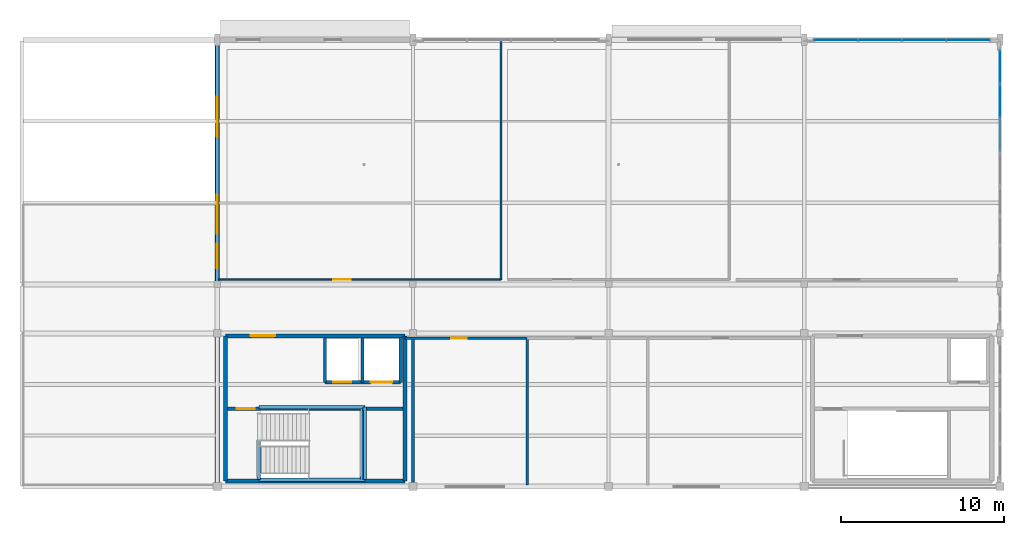
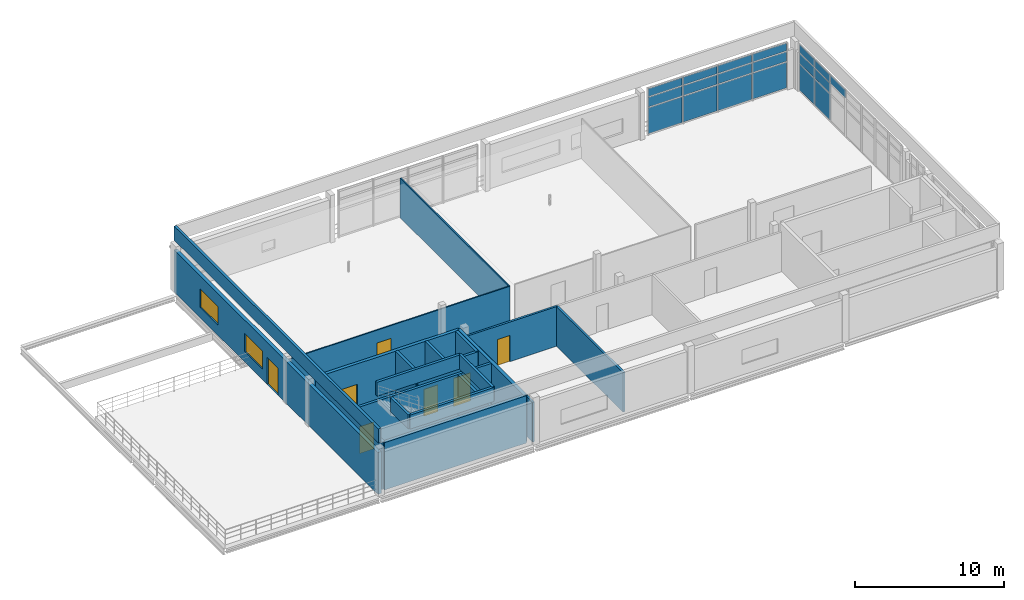
# One storey, part 5 of 9: 21 walls, 19 plates, 7 doors, 2 windows, 9 openings, 2 elements without a shape of their own.
"""IFC4 building model written with IfcOpenShell, lengths in metres."""

import ifcopenshell
import ifcopenshell.guid

model = None  # the IFC model being written
_history = None  # IfcOwnerHistory: only IFC2X3 demands one
_inside = {}  # id of a spatial element -> (the spatial element, [elements in it])
_under = {}  # id of a project, library or spatial element -> (it, [spatial elements below it])
_declared = {}  # id of a project -> (the project, [libraries it declares])
_typed = {}  # id of a type object -> (the type object, [elements of that type])
_made_of = {}  # id of a material, layer set ... -> (it, [elements and type objects made of it])


def new_model(schema):
    """Start an empty IFC model of exactly this schema.

    Asked for "IFC4X3", IfcOpenShell would pick the latest addendum, in which some entities
    have other attributes; the version numbers below select the first issue.
    IFC2X3 requires an IfcOwnerHistory on every rooted entity: one is made here for all.
    """
    global model, _history
    if schema == "IFC4X3":
        model = ifcopenshell.file(schema_version=(4, 3, 0, 0))
    else:
        model = ifcopenshell.file(schema=schema)
    _inside.clear()
    _under.clear()
    _declared.clear()
    _typed.clear()
    _made_of.clear()
    _history = None
    if model.schema == "IFC2X3":
        org = make("IfcOrganization", Name="unknown")
        user = make(
            "IfcPersonAndOrganization",
            ThePerson=make("IfcPerson", FamilyName="unknown"),
            TheOrganization=org,
        )
        app = make(
            "IfcApplication",
            ApplicationDeveloper=org,
            Version="unknown",
            ApplicationFullName="unknown",
            ApplicationIdentifier="unknown",
        )
        _history = make(
            "IfcOwnerHistory",
            OwningUser=user,
            OwningApplication=app,
            ChangeAction="ADDED",
            CreationDate=0,
        )
    return model


def make(cls, **values):
    """One entity of the class cls with the attributes given. An attribute that is None is left unset."""
    return model.create_entity(
        cls, **{name: value for name, value in values.items() if value is not None}
    )


def rooted(cls, **values):
    """An entity with a GlobalId (a new one), such as an element, a storey or a relation."""
    return make(cls, GlobalId=ifcopenshell.guid.new(), OwnerHistory=_history, **values)


def si_unit(unit_type, name, prefix=None):
    """IfcSIUnit, for example si_unit("LENGTHUNIT", "METRE", prefix="MILLI")."""
    return make("IfcSIUnit", UnitType=unit_type, Prefix=prefix, Name=name)


def assignment(units):
    """IfcUnitAssignment: the units of a project."""
    return None if units is None else make("IfcUnitAssignment", Units=units)


def point(xyz):
    """IfcCartesianPoint."""
    return None if xyz is None else make("IfcCartesianPoint", Coordinates=xyz)


def direction(xyz):
    """IfcDirection."""
    return None if xyz is None else make("IfcDirection", DirectionRatios=xyz)


def frame(location, z_axis=None, x_axis=None):
    """IfcAxis2Placement3D, a coordinate frame: its origin and axes. An axis left out is left unset."""
    return make(
        "IfcAxis2Placement3D",
        Location=point(location),
        Axis=direction(z_axis),
        RefDirection=direction(x_axis),
    )


def frame_2d(location, x_axis=None):
    """IfcAxis2Placement2D, a coordinate frame in the plane: its origin and x axis."""
    return make(
        "IfcAxis2Placement2D", Location=point(location), RefDirection=direction(x_axis)
    )


def origin():
    """The frame at (0, 0, 0) with its axes left unset."""
    return frame((0.0, 0.0, 0.0))


def origin_2d():
    """The frame at (0, 0) in the plane with its x axis left unset."""
    return frame_2d((0.0, 0.0))


def place(relative_to, where):
    """IfcLocalPlacement: puts the frame where relative to a parent placement (None: the world)."""
    return make(
        "IfcLocalPlacement", PlacementRelTo=relative_to, RelativePlacement=where
    )


def context(
    kind, dimensions, precision=None, world=None, true_north=None, identifier=None
):
    """IfcGeometricRepresentationContext, for example the 3D "Model" context."""
    return make(
        "IfcGeometricRepresentationContext",
        ContextIdentifier=identifier,
        ContextType=kind,
        CoordinateSpaceDimension=dimensions,
        Precision=precision,
        WorldCoordinateSystem=world,
        TrueNorth=true_north,
    )


def subcontext(parent, identifier, kind, view, scale=None):
    """IfcGeometricRepresentationSubContext, for example "Body" below "Model"."""
    return make(
        "IfcGeometricRepresentationSubContext",
        ContextIdentifier=identifier,
        ContextType=kind,
        ParentContext=parent,
        TargetScale=scale,
        TargetView=view,
    )


def project(units=None, contexts=None):
    """IfcProject with its units and contexts."""
    return rooted(
        "IfcProject",
        Name="project",
        RepresentationContexts=contexts,
        UnitsInContext=assignment(units),
    )


def spatial(cls, under=None, at=None, **own):
    """A site, building, storey or space (cls), placed at a placement, below another one or the project."""
    s = rooted(cls, ObjectPlacement=at, **own)
    if under is not None:
        _under.setdefault(under.id(), (under, []))[1].append(s)
    return s


def profile(cls, at=None, kind="AREA", **sizes):
    """A parametric profile (cls). Its sizes go by their IFC names, for example OverallWidth=200.0."""
    return make(cls, ProfileType=kind, Position=at, **sizes)


def rectangle(**sizes):
    """IfcRectangleProfileDef."""
    return profile("IfcRectangleProfileDef", **sizes)


def extrude(swept, where, along, depth):
    """IfcExtrudedAreaSolid: the profile swept, set in the frame where, extruded along a direction by depth."""
    return make(
        "IfcExtrudedAreaSolid",
        SweptArea=swept,
        Position=where,
        ExtrudedDirection=direction(along),
        Depth=depth,
    )


def shape(context_of_items, identifier, shape_type, items):
    """IfcShapeRepresentation: the items that make up one representation, for example the "Body"."""
    return make(
        "IfcShapeRepresentation",
        ContextOfItems=context_of_items,
        RepresentationIdentifier=identifier,
        RepresentationType=shape_type,
        Items=items,
    )


def material(Name=None, Category=None):
    """IfcMaterial."""
    return make("IfcMaterial", Name=Name, Category=Category)


def layer(
    of_material, thickness, ventilated=None, Name=None, Category=None, Priority=None
):
    """IfcMaterialLayer: one layer of a wall or slab, of a material (None: an air gap)."""
    return make(
        "IfcMaterialLayer",
        Material=of_material,
        LayerThickness=thickness,
        IsVentilated=ventilated,
        Name=Name,
        Category=Category,
        Priority=Priority,
    )


def layer_set(layers, Name=None):
    """IfcMaterialLayerSet."""
    return make("IfcMaterialLayerSet", MaterialLayers=layers, LayerSetName=Name)


def made_of(thing, what):
    """Note that an element or type object is made of a material, layer set ...; save() writes the relation."""
    if what is not None:
        _made_of.setdefault(what.id(), (what, []))[1].append(thing)
    return thing


def type_object(cls, material=None, **own):
    """A type object (cls), such as IfcWallType, which elements share."""
    return made_of(rooted(cls, **own), material)


def element(
    cls,
    number,
    at=None,
    inside=None,
    cuts=None,
    type_object=None,
    material=None,
    context=None,
    identifier="Body",
    shape_type=None,
    held_by="IfcProductDefinitionShape",
    body=None,
    shapes=None,
    **own,
):
    """One element of the class cls, such as IfcWall. Its Tag is "e" and its number.

    at: its placement. inside: the storey or other place that contains it. cuts: it is an
    opening in that element (IfcRelVoidsElement). A single representation is given by context,
    identifier, shape_type and body (its items); several are given by shapes. held_by: the class
    of the entity that holds the representations. save() writes the other relations.
    """
    e = rooted(cls, Tag="e%d" % number, ObjectPlacement=at, **own)
    if body is not None:
        shapes = [shape(context, identifier, shape_type, body)]
    if shapes is not None:
        e.Representation = make(held_by, Representations=shapes)
    if inside is not None:
        _inside.setdefault(inside.id(), (inside, []))[1].append(e)
    if cuts is not None:
        rooted(
            "IfcRelVoidsElement", RelatingBuildingElement=cuts, RelatedOpeningElement=e
        )
    if type_object is not None:
        _typed.setdefault(type_object.id(), (type_object, []))[1].append(e)
    return made_of(e, material)


def fill(opening, filler):
    """IfcRelFillsElement: the door or window that sits in an opening."""
    return rooted(
        "IfcRelFillsElement",
        RelatingOpeningElement=opening,
        RelatedBuildingElement=filler,
    )


def aggregate(whole, parts):
    """IfcRelAggregates: a whole, such as a stair, and the parts it consists of."""
    return rooted("IfcRelAggregates", RelatingObject=whole, RelatedObjects=parts)


def save(model, path):
    """Write the relations noted so far, then the file.

    IfcRelAggregates (storeys below a building ...), IfcRelContainedInSpatialStructure (elements
    in a storey), IfcRelDefinesByType, IfcRelAssociatesMaterial and IfcRelDeclares: one each for
    every whole, place, type object, material and project.
    """
    for whole, parts in _under.values():
        aggregate(whole, parts)
    for where, things in _inside.values():
        rooted(
            "IfcRelContainedInSpatialStructure",
            RelatedElements=things,
            RelatingStructure=where,
        )
    for kind, things in _typed.values():
        rooted("IfcRelDefinesByType", RelatedObjects=things, RelatingType=kind)
    for what, things in _made_of.values():
        rooted("IfcRelAssociatesMaterial", RelatedObjects=things, RelatingMaterial=what)
    for by, libraries in _declared.values():
        rooted("IfcRelDeclares", RelatingContext=by, RelatedDefinitions=libraries)
    model.write(path)


model = new_model("IFC4")

# Units and contexts
model_context = context("Model", 3, precision=1e-05, world=origin(), true_north=direction((0.0, 1.0)))
body_context = subcontext(model_context, "Body", "Model", "MODEL_VIEW")
ifc_project = project(units=[si_unit("LENGTHUNIT", "METRE"), si_unit("AREAUNIT", "SQUARE_METRE"), si_unit("VOLUMEUNIT", "CUBIC_METRE"), si_unit("PLANEANGLEUNIT", "RADIAN"), si_unit("MASSUNIT", "GRAM", prefix="KILO"), si_unit("THERMODYNAMICTEMPERATUREUNIT", "KELVIN"), si_unit("POWERUNIT", "WATT")], contexts=[model_context])

# Site, building, storey
site_placement = place(None, origin())
site = spatial("IfcSite", under=ifc_project, at=site_placement, CompositionType="ELEMENT")
building_placement = place(site_placement, origin())
building = spatial("IfcBuilding", under=site, at=building_placement, Name="Solmara Park Aquatics Centre", CompositionType="ELEMENT")
storey_placement = place(building_placement, frame((0.0, 0.0, 18.60009765625)))
storey = spatial("IfcBuildingStorey", under=building, at=storey_placement, Name="L04", CompositionType="ELEMENT", Elevation=18.60009765625)

# Curtain wall, plates
ifc_material_1 = material(Name="Anodised Aluminium Curtain Wall Framing", Category="aluminium")
curtain_wall_type_1 = type_object("IfcCurtainWallType", Name="ARC-CW-SYS06", PredefinedType="USERDEFINED", material=ifc_material_1)
curtain_wall_1_placement = place(storey_placement, origin())
curtain_wall_1 = element("IfcCurtainWall", 1, at=curtain_wall_1_placement, inside=storey, type_object=curtain_wall_type_1, Name="Curtain Wall CW-137", ObjectType="CURTAIN WALL", PredefinedType="USERDEFINED")
ifc_material_2 = material(Name="Double Low-E Solar-Control Glazing", Category="glass")
ifc_layer_1 = layer(ifc_material_2, 0.035888671875, Name="Double Low-E Solar-Control Glazing")
ifc_layer_set_1 = layer_set([ifc_layer_1], Name="Double Low-E Solar-Control Glazing")
plate_type_1 = type_object("IfcPlateType", Name="ARC-CWP-GLZ36-2000x2140", PredefinedType="CURTAIN_PANEL", material=ifc_layer_set_1)
plate_1_placement = place(storey_placement, frame((96.60009765625, 132.2451171875, 0.079833984375), z_axis=(0.0, 0.0, 1.0), x_axis=(0.0, 1.0, 0.0)))
plate_1 = element("IfcPlate", 2, at=plate_1_placement, type_object=plate_type_1, Name="CW-137 panel 7", PredefinedType="CURTAIN_PANEL", context=body_context, shape_type="SweptSolid", body=[
    extrude(rectangle(XDim=2.010009765625, YDim=0.035888671875, at=origin_2d()), origin(), (0.0, 0.0, 1.0), 2.13037109375),
])
plate_2_placement = place(storey_placement, frame((96.60009765625, 134.3349609375, 0.079833984375), z_axis=(0.0, 0.0, 1.0), x_axis=(0.0, 1.0, 0.0)))
plate_2 = element("IfcPlate", 3, at=plate_2_placement, type_object=plate_type_1, Name="CW-137 panel 10", PredefinedType="CURTAIN_PANEL", context=body_context, shape_type="SweptSolid", body=[
    extrude(rectangle(XDim=2.010009765625, YDim=0.035888671875, at=origin_2d()), origin(), (0.0, 0.0, 1.0), 2.13037109375),
])
ifc_layer_2 = layer(ifc_material_2, 0.035888671875, Name="Double Low-E Solar-Control Glazing")
ifc_layer_set_2 = layer_set([ifc_layer_2], Name="Double Low-E Solar-Control Glazing")
plate_type_2 = type_object("IfcPlateType", Name="ARC-CWP-GLZ36-2000x800", PredefinedType="CURTAIN_PANEL", material=ifc_layer_set_2)
plate_3_placement = place(storey_placement, frame((96.60009765625, 132.2451171875, 2.29052734375), z_axis=(0.0, 0.0, 1.0), x_axis=(0.0, 1.0, 0.0)))
plate_3 = element("IfcPlate", 4, at=plate_3_placement, type_object=plate_type_2, Name="CW-137 panel 8", PredefinedType="CURTAIN_PANEL", context=body_context, shape_type="SweptSolid", body=[
    extrude(rectangle(XDim=2.010009765625, YDim=0.035888671875, at=origin_2d()), origin(), (0.0, 0.0, 1.0), 0.799560546875),
])
plate_4_placement = place(storey_placement, frame((96.60009765625, 134.3349609375, 2.29052734375), z_axis=(0.0, 0.0, 1.0), x_axis=(0.0, 1.0, 0.0)))
plate_4 = element("IfcPlate", 5, at=plate_4_placement, type_object=plate_type_2, Name="CW-137 panel 11", PredefinedType="CURTAIN_PANEL", context=body_context, shape_type="SweptSolid", body=[
    extrude(rectangle(XDim=2.010009765625, YDim=0.035888671875, at=origin_2d()), origin(), (0.0, 0.0, 1.0), 0.799560546875),
])

curtain_wall_type_2 = type_object("IfcCurtainWallType", Name="ARC-CW-SYS04", PredefinedType="USERDEFINED", material=ifc_material_1)
curtain_wall_2_placement = place(storey_placement, origin())
curtain_wall_2 = element("IfcCurtainWall", 6, at=curtain_wall_2_placement, inside=storey, type_object=curtain_wall_type_2, Name="Curtain Wall CW-133", ObjectType="CURTAIN WALL", PredefinedType="USERDEFINED")
ifc_layer_3 = layer(ifc_material_2, 0.035888671875, Name="Double Low-E Solar-Control Glazing")
ifc_layer_set_3 = layer_set([ifc_layer_3], Name="Double Low-E Solar-Control Glazing")
plate_type_3 = type_object("IfcPlateType", Name="ARC-CWP-GLZ36-2620x2100", PredefinedType="CURTAIN_PANEL", material=ifc_layer_set_3)
plate_5_placement = place(storey_placement, frame((86.530029296875, 136.0, 0.080078125), z_axis=(0.0, 0.0, 1.0), x_axis=(1.0, 0.0, 0.0)))
plate_5 = element("IfcPlate", 7, at=plate_5_placement, type_object=plate_type_3, Name="CW-133 panel 1", PredefinedType="CURTAIN_PANEL", context=body_context, shape_type="SweptSolid", body=[
    extrude(rectangle(XDim=2.6201171875, YDim=0.035888671875, at=origin_2d()), origin(), (0.0, 0.0, 1.0), 2.107177734375),
])
plate_6_placement = place(storey_placement, frame((89.22998046875, 136.0, 0.080078125), z_axis=(0.0, 0.0, 1.0), x_axis=(1.0, 0.0, 0.0)))
plate_6 = element("IfcPlate", 8, at=plate_6_placement, type_object=plate_type_3, Name="CW-133 panel 4", PredefinedType="CURTAIN_PANEL", context=body_context, shape_type="SweptSolid", body=[
    extrude(rectangle(XDim=2.6201171875, YDim=0.035888671875, at=origin_2d()), origin(), (0.0, 0.0, 1.0), 2.107177734375),
])
plate_7_placement = place(storey_placement, frame((91.929931640625, 136.0, 0.080078125), z_axis=(0.0, 0.0, 1.0), x_axis=(1.0, 0.0, 0.0)))
plate_7 = element("IfcPlate", 9, at=plate_7_placement, type_object=plate_type_3, Name="CW-133 panel 7", PredefinedType="CURTAIN_PANEL", context=body_context, shape_type="SweptSolid", body=[
    extrude(rectangle(XDim=2.6201171875, YDim=0.035888671875, at=origin_2d()), origin(), (0.0, 0.0, 1.0), 2.107177734375),
])
plate_8_placement = place(storey_placement, frame((94.6298828125, 136.0, 0.080078125), z_axis=(0.0, 0.0, 1.0), x_axis=(1.0, 0.0, 0.0)))
plate_8 = element("IfcPlate", 10, at=plate_8_placement, type_object=plate_type_3, Name="CW-133 panel 10", PredefinedType="CURTAIN_PANEL", context=body_context, shape_type="SweptSolid", body=[
    extrude(rectangle(XDim=2.6201171875, YDim=0.035888671875, at=origin_2d()), origin(), (0.0, 0.0, 1.0), 2.107177734375),
])
ifc_layer_4 = layer(ifc_material_2, 0.035888671875, Name="Double Low-E Solar-Control Glazing")
ifc_layer_set_4 = layer_set([ifc_layer_4], Name="Double Low-E Solar-Control Glazing")
plate_type_4 = type_object("IfcPlateType", Name="ARC-CWP-GLZ36-2620x780", PredefinedType="CURTAIN_PANEL", material=ifc_layer_set_4)
plate_9_placement = place(storey_placement, frame((86.530029296875, 136.0, 2.26708984375), z_axis=(0.0, 0.0, 1.0), x_axis=(1.0, 0.0, 0.0)))
plate_9 = element("IfcPlate", 11, at=plate_9_placement, type_object=plate_type_4, Name="CW-133 panel 2", PredefinedType="CURTAIN_PANEL", context=body_context, shape_type="SweptSolid", body=[
    extrude(rectangle(XDim=2.6201171875, YDim=0.035888671875, at=origin_2d()), origin(), (0.0, 0.0, 1.0), 0.78271484375),
])
plate_10_placement = place(storey_placement, frame((89.22998046875, 136.0, 2.26708984375), z_axis=(0.0, 0.0, 1.0), x_axis=(1.0, 0.0, 0.0)))
plate_10 = element("IfcPlate", 12, at=plate_10_placement, type_object=plate_type_4, Name="CW-133 panel 5", PredefinedType="CURTAIN_PANEL", context=body_context, shape_type="SweptSolid", body=[
    extrude(rectangle(XDim=2.6201171875, YDim=0.035888671875, at=origin_2d()), origin(), (0.0, 0.0, 1.0), 0.78271484375),
])
plate_11_placement = place(storey_placement, frame((91.929931640625, 136.0, 2.26708984375), z_axis=(0.0, 0.0, 1.0), x_axis=(1.0, 0.0, 0.0)))
plate_11 = element("IfcPlate", 13, at=plate_11_placement, type_object=plate_type_4, Name="CW-133 panel 8", PredefinedType="CURTAIN_PANEL", context=body_context, shape_type="SweptSolid", body=[
    extrude(rectangle(XDim=2.6201171875, YDim=0.035888671875, at=origin_2d()), origin(), (0.0, 0.0, 1.0), 0.78271484375),
])
plate_12_placement = place(storey_placement, frame((94.6298828125, 136.0, 2.26708984375), z_axis=(0.0, 0.0, 1.0), x_axis=(1.0, 0.0, 0.0)))
plate_12 = element("IfcPlate", 14, at=plate_12_placement, type_object=plate_type_4, Name="CW-133 panel 11", PredefinedType="CURTAIN_PANEL", context=body_context, shape_type="SweptSolid", body=[
    extrude(rectangle(XDim=2.6201171875, YDim=0.035888671875, at=origin_2d()), origin(), (0.0, 0.0, 1.0), 0.78271484375),
])

# Plate
ifc_material_3 = material(Name="Insulated Anodised Aluminium Spandrel Panel", Category="aluminium")
ifc_layer_5 = layer(ifc_material_3, 0.0439453125, Name="Insulated Anodised Aluminium Spandrel Panel")
ifc_layer_set_5 = layer_set([ifc_layer_5], Name="Insulated Anodised Aluminium Spandrel Panel")
plate_type_5 = type_object("IfcPlateType", Name="ARC-CWP-SPN44-2000x620", PredefinedType="CURTAIN_PANEL", material=ifc_layer_set_5)
plate_13_placement = place(storey_placement, frame((96.60009765625, 130.155029296875, 3.169921875), z_axis=(0.0, 0.0, 1.0), x_axis=(0.0, 1.0, 0.0)))
plate_13 = element("IfcPlate", 15, at=plate_13_placement, type_object=plate_type_5, Name="CW-137 panel 6", PredefinedType="CURTAIN_PANEL", context=body_context, shape_type="SweptSolid", body=[
    extrude(rectangle(XDim=2.010009765625, YDim=0.0439453125, at=origin_2d()), origin(), (0.0, 0.0, 1.0), 0.6298828125),
])

plate_14_placement = place(storey_placement, frame((96.60009765625, 132.2451171875, 3.169921875), z_axis=(0.0, 0.0, 1.0), x_axis=(0.0, 1.0, 0.0)))
plate_14 = element("IfcPlate", 16, at=plate_14_placement, type_object=plate_type_5, Name="CW-137 panel 9", PredefinedType="CURTAIN_PANEL", context=body_context, shape_type="SweptSolid", body=[
    extrude(rectangle(XDim=2.010009765625, YDim=0.0439453125, at=origin_2d()), origin(), (0.0, 0.0, 1.0), 0.6298828125),
])

plate_15_placement = place(storey_placement, frame((96.60009765625, 134.3349609375, 3.169921875), z_axis=(0.0, 0.0, 1.0), x_axis=(0.0, 1.0, 0.0)))
plate_15 = element("IfcPlate", 17, at=plate_15_placement, type_object=plate_type_5, Name="CW-137 panel 12", PredefinedType="CURTAIN_PANEL", context=body_context, shape_type="SweptSolid", body=[
    extrude(rectangle(XDim=2.010009765625, YDim=0.0439453125, at=origin_2d()), origin(), (0.0, 0.0, 1.0), 0.6298828125),
])

aggregate(curtain_wall_1, [plate_13, plate_1, plate_3, plate_14, plate_2, plate_4, plate_15])

ifc_layer_6 = layer(ifc_material_3, 0.0439453125, Name="Insulated Anodised Aluminium Spandrel Panel")
ifc_layer_set_6 = layer_set([ifc_layer_6], Name="Insulated Anodised Aluminium Spandrel Panel")
plate_type_6 = type_object("IfcPlateType", Name="ARC-CWP-SPN44-2620x620", PredefinedType="CURTAIN_PANEL", material=ifc_layer_set_6)
plate_16_placement = place(storey_placement, frame((86.530029296875, 136.0, 3.1298828125), z_axis=(0.0, 0.0, 1.0), x_axis=(1.0, 0.0, 0.0)))
plate_16 = element("IfcPlate", 18, at=plate_16_placement, type_object=plate_type_6, Name="CW-133 panel 3", PredefinedType="CURTAIN_PANEL", context=body_context, shape_type="SweptSolid", body=[
    extrude(rectangle(XDim=2.6201171875, YDim=0.0439453125, at=origin_2d()), origin(), (0.0, 0.0, 1.0), 0.6298828125),
])

plate_17_placement = place(storey_placement, frame((89.22998046875, 136.0, 3.1298828125), z_axis=(0.0, 0.0, 1.0), x_axis=(1.0, 0.0, 0.0)))
plate_17 = element("IfcPlate", 19, at=plate_17_placement, type_object=plate_type_6, Name="CW-133 panel 6", PredefinedType="CURTAIN_PANEL", context=body_context, shape_type="SweptSolid", body=[
    extrude(rectangle(XDim=2.6201171875, YDim=0.0439453125, at=origin_2d()), origin(), (0.0, 0.0, 1.0), 0.6298828125),
])

plate_18_placement = place(storey_placement, frame((91.929931640625, 136.0, 3.1298828125), z_axis=(0.0, 0.0, 1.0), x_axis=(1.0, 0.0, 0.0)))
plate_18 = element("IfcPlate", 20, at=plate_18_placement, type_object=plate_type_6, Name="CW-133 panel 9", PredefinedType="CURTAIN_PANEL", context=body_context, shape_type="SweptSolid", body=[
    extrude(rectangle(XDim=2.6201171875, YDim=0.0439453125, at=origin_2d()), origin(), (0.0, 0.0, 1.0), 0.6298828125),
])

plate_19_placement = place(storey_placement, frame((94.6298828125, 136.0, 3.1298828125), z_axis=(0.0, 0.0, 1.0), x_axis=(1.0, 0.0, 0.0)))
plate_19 = element("IfcPlate", 21, at=plate_19_placement, type_object=plate_type_6, Name="CW-133 panel 12", PredefinedType="CURTAIN_PANEL", context=body_context, shape_type="SweptSolid", body=[
    extrude(rectangle(XDim=2.6201171875, YDim=0.0439453125, at=origin_2d()), origin(), (0.0, 0.0, 1.0), 0.6298828125),
])

aggregate(curtain_wall_2, [plate_5, plate_9, plate_16, plate_6, plate_10, plate_17, plate_7, plate_11, plate_18, plate_8, plate_12, plate_19])

# Wall
ifc_material_4 = material(Name="Concrete C40/50", Category="concrete")
ifc_layer_7 = layer(ifc_material_4, 0.25, Name="Concrete C40/50")
ifc_layer_set_7 = layer_set([ifc_layer_7], Name="Concrete C40/50")
wall_type_1 = type_object("IfcWallType", Name="ARC-WL-CORE250", PredefinedType="SHEAR", material=ifc_layer_set_7)
wall_1_placement = place(storey_placement, frame((49.10009765625, 108.949951171875, 0.0), z_axis=(0.0, 0.0, 1.0), x_axis=(1.0, 0.0, 0.0)))
element("IfcWall", 22, at=wall_1_placement, inside=storey, type_object=wall_type_1, Name="CORE-1 Core Wall S L04", PredefinedType="SHEAR", context=body_context, shape_type="SweptSolid", body=[
    extrude(rectangle(XDim=11.0, YDim=0.25, at=frame_2d((5.5, 0.0))), origin(), (0.0, 0.0, 1.0), 3.8798828125),
])

# Wall, opening, door
wall_2_placement = place(storey_placement, frame((49.10009765625, 117.85009765625, 0.0), z_axis=(0.0, 0.0, 1.0), x_axis=(1.0, 0.0, 0.0)))
wall_2 = element("IfcWall", 23, at=wall_2_placement, inside=storey, type_object=wall_type_1, Name="CORE-1 Core Wall N L04", PredefinedType="SHEAR", context=body_context, shape_type="SweptSolid", body=[
    extrude(rectangle(XDim=11.0, YDim=0.25, at=frame_2d((5.5, 0.0))), origin(), (0.0, 0.0, 1.0), 3.8798828125),
])
opening_1_placement = place(wall_2_placement, frame((1.550048828125, 0.0, 0.0)))
opening_1 = element("IfcOpeningElement", 24, at=opening_1_placement, cuts=wall_2, Name="Opening D-12", PredefinedType="OPENING", context=body_context, shape_type="SweptSolid", body=[
    extrude(rectangle(XDim=1.5, YDim=2.199951171875, at=frame_2d((0.75, 1.10009765625))), frame((0.0, 0.135009765625, 0.0), z_axis=(0.0, -1.0, 0.0), x_axis=(1.0, 0.0, 0.0)), (0.0, 0.0, 1.0), 0.27001953125),
])
ifc_material_5 = material(Name="Moisture-Resistant HPL & Hardwood", Category="wood")
door_type_1 = type_object("IfcDoorType", Name="ARC-DR-FD150x220", OperationType="DOUBLE_DOOR_SINGLE_SWING", PredefinedType="DOOR", material=ifc_material_5)
door_1_placement = place(opening_1_placement, origin())
door_1 = element("IfcDoor", 25, at=door_1_placement, inside=storey, type_object=door_type_1, Name="CORE-1 Lobby Entry Fire Door L04", OperationType="DOUBLE_DOOR_SINGLE_SWING", OverallHeight=2.199951171875, OverallWidth=1.5, PredefinedType="DOOR", context=body_context, shape_type="SweptSolid", body=[
    extrude(rectangle(XDim=1.5, YDim=2.199951171875, at=frame_2d((0.75, 1.10009765625))), frame((0.0, 0.02490234375, 0.0), z_axis=(0.0, -1.0, 0.0), x_axis=(1.0, 0.0, 0.0)), (0.0, 0.0, 1.0), 0.050048828125),
])
fill(opening_1, door_1)

# Walls
for number, where, z_axis, x_axis, name in (
    (26, (49.10009765625, 108.949951171875, 0.0), (0.0, 0.0, 1.0), (0.0, 1.0, 0.0), "CORE-1 Core Wall W L04"),
    (27, (60.10009765625, 108.949951171875, 0.0), (0.0, 0.0, 1.0), (0.0, 1.0, 0.0), "CORE-1 Core Wall E L04"),
):
    element("IfcWall", number, at=place(storey_placement, frame(where, z_axis=z_axis, x_axis=x_axis)), inside=storey, type_object=wall_type_1, Name=name, PredefinedType="SHEAR", context=body_context, shape_type="SweptSolid", body=[
        extrude(rectangle(XDim=8.900146484375, YDim=0.25, at=frame_2d((4.4501953125, 0.0))), origin(), (0.0, 0.0, 1.0), 3.8798828125),
    ])

# Wall, openings, doors
ifc_material_6 = material(Name="Concrete C25/30 Autoclaved Aerated Fire Blockwork", Category="masonry")
ifc_layer_8 = layer(ifc_material_6, 0.199951171875, Name="Concrete C25/30 Autoclaved Aerated Fire Blockwork")
ifc_layer_set_8 = layer_set([ifc_layer_8], Name="Concrete C25/30 Autoclaved Aerated Fire Blockwork")
wall_type_2 = type_object("IfcWallType", Name="ARC-WL-FIRE200", PredefinedType="SOLIDWALL", material=ifc_layer_set_8)
wall_3_placement = place(storey_placement, frame((55.199951171875, 115.0, 0.0), z_axis=(0.0, 0.0, 1.0), x_axis=(1.0, 0.0, 0.0)))
wall_3 = element("IfcWall", 28, at=wall_3_placement, inside=storey, type_object=wall_type_2, Name="CORE-1 Lift Shaft Front Wall L04", PredefinedType="SOLIDWALL", context=body_context, shape_type="SweptSolid", body=[
    extrude(rectangle(XDim=4.650146484375, YDim=0.199951171875, at=frame_2d((2.3251953125, 0.0))), origin(), (0.0, 0.0, 1.0), 3.8798828125),
])
opening_2_placement = place(wall_3_placement, frame((2.824951171875, 0.0, 0.0)))
opening_2 = element("IfcOpeningElement", 29, at=opening_2_placement, cuts=wall_3, Name="Opening D-10", PredefinedType="OPENING", context=body_context, shape_type="SweptSolid", body=[
    extrude(rectangle(XDim=1.300048828125, YDim=2.300048828125, at=frame_2d((0.64990234375, 1.14990234375))), frame((0.0, 0.10986328125, 0.0), z_axis=(0.0, -1.0, 0.0), x_axis=(1.0, 0.0, 0.0)), (0.0, 0.0, 1.0), 0.219970703125),
])
opening_3_placement = place(wall_3_placement, frame((0.52490234375, 0.0, 0.0)))
opening_3 = element("IfcOpeningElement", 30, at=opening_3_placement, cuts=wall_3, Name="Opening D-09", PredefinedType="OPENING", context=body_context, shape_type="SweptSolid", body=[
    extrude(rectangle(XDim=1.10009765625, YDim=2.199951171875, at=frame_2d((0.550048828125, 1.10009765625))), frame((0.0, 0.10986328125, 0.0), z_axis=(0.0, -1.0, 0.0), x_axis=(1.0, 0.0, 0.0)), (0.0, 0.0, 1.0), 0.219970703125),
])
ifc_material_7 = material(Name="Stainless Steel", Category="steel")
door_type_2 = type_object("IfcDoorType", Name="ARC-DR-LD110x220", OperationType="DOUBLE_DOOR_SLIDING", PredefinedType="DOOR", material=ifc_material_7)
door_2_placement = place(opening_3_placement, frame((1.10009765625, 0.0, 0.0), z_axis=(0.0, 0.0, 1.0), x_axis=(-1.0, 0.0, 0.0)))
door_2 = element("IfcDoor", 31, at=door_2_placement, inside=storey, type_object=door_type_2, Name="LF-02 Lift Landing Door L04", OperationType="DOUBLE_DOOR_SLIDING", OverallHeight=2.199951171875, OverallWidth=1.10009765625, PredefinedType="DOOR", context=body_context, shape_type="SweptSolid", body=[
    extrude(rectangle(XDim=1.10009765625, YDim=2.199951171875, at=frame_2d((0.550048828125, 1.10009765625))), frame((0.0, 0.02490234375, 0.0), z_axis=(0.0, -1.0, 0.0), x_axis=(1.0, 0.0, 0.0)), (0.0, 0.0, 1.0), 0.050048828125),
])
fill(opening_3, door_2)
door_type_3 = type_object("IfcDoorType", Name="ARC-DR-LD130x230", OperationType="DOUBLE_DOOR_SLIDING", PredefinedType="DOOR", material=ifc_material_7)
door_3_placement = place(opening_2_placement, frame((1.300048828125, 0.0, 0.0), z_axis=(0.0, 0.0, 1.0), x_axis=(-1.0, 0.0, 0.0)))
door_3 = element("IfcDoor", 32, at=door_3_placement, inside=storey, type_object=door_type_3, Name="LF-01 Lift Landing Door L04", OperationType="DOUBLE_DOOR_SLIDING", OverallHeight=2.300048828125, OverallWidth=1.300048828125, PredefinedType="DOOR", context=body_context, shape_type="SweptSolid", body=[
    extrude(rectangle(XDim=1.300048828125, YDim=2.300048828125, at=frame_2d((0.64990234375, 1.14990234375))), frame((0.0, 0.02490234375, 0.0), z_axis=(0.0, -1.0, 0.0), x_axis=(1.0, 0.0, 0.0)), (0.0, 0.0, 1.0), 0.050048828125),
])
fill(opening_2, door_3)

# Walls
for number, where, z_axis, x_axis, name in (
    (33, (57.5, 115.0, 0.0), (0.0, 0.0, 1.0), (0.0, 1.0, 0.0), "LF-01 Lift Shaft W Wall L04"),
    (34, (59.85009765625, 115.0, 0.0), (0.0, 0.0, 1.0), (0.0, 1.0, 0.0), "LF-01 Lift Shaft E Wall L04"),
    (35, (55.199951171875, 115.0, 0.0), (0.0, 0.0, 1.0), (0.0, 1.0, 0.0), "LF-02 Lift Shaft W Wall L04"),
):
    element("IfcWall", number, at=place(storey_placement, frame(where, z_axis=z_axis, x_axis=x_axis)), inside=storey, type_object=wall_type_2, Name=name, PredefinedType="SOLIDWALL", context=body_context, shape_type="SweptSolid", body=[
        extrude(rectangle(XDim=2.75, YDim=0.199951171875, at=frame_2d((1.375, 0.0))), origin(), (0.0, 0.0, 1.0), 3.8798828125),
    ])

# Wall, opening, door
ifc_material_8 = material(Name="Acoustic Laminated Glass Framed Partition", Category="glass")
ifc_layer_9 = layer(ifc_material_8, 0.10009765625, Name="Acoustic Laminated Glass Framed Partition")
ifc_layer_set_9 = layer_set([ifc_layer_9], Name="Acoustic Laminated Glass Framed Partition")
wall_type_3 = type_object("IfcWallType", Name="ARC-WL-GLZ100", PredefinedType="PARTITIONING", material=ifc_layer_set_9)
wall_4_placement = place(storey_placement, frame((48.699951171875, 121.300048828125, 0.0), z_axis=(0.0, 0.0, 1.0), x_axis=(1.0, 0.0, 0.0)))
wall_4 = element("IfcWall", 36, at=wall_4_placement, inside=storey, type_object=wall_type_3, Name="Interior Partition IW-L04-0141 (L04-BRC-01)", PredefinedType="PARTITIONING", context=body_context, shape_type="SweptSolid", body=[
    extrude(rectangle(XDim=17.300048828125, YDim=0.10009765625, at=frame_2d((8.64990234375, 0.0))), origin(), (0.0, 0.0, 1.0), 3.25),
])
opening_4_placement = place(wall_4_placement, frame((7.0, 0.0, 0.0)))
opening_4 = element("IfcOpeningElement", 37, at=opening_4_placement, cuts=wall_4, Name="Opening D-15", PredefinedType="OPENING", context=body_context, shape_type="SweptSolid", body=[
    extrude(rectangle(XDim=1.10009765625, YDim=2.199951171875, at=frame_2d((0.550048828125, 1.10009765625))), frame((0.0, 0.06005859375, 0.0), z_axis=(0.0, -1.0, 0.0), x_axis=(1.0, 0.0, 0.0)), (0.0, 0.0, 1.0), 0.1201171875),
])
door_type_4 = type_object("IfcDoorType", Name="ARC-DR-SGL110x220", OperationType="NOTDEFINED", PredefinedType="DOOR", material=ifc_material_5)
door_4_placement = place(opening_4_placement, origin())
door_4 = element("IfcDoor", 38, at=door_4_placement, inside=storey, type_object=door_type_4, Name="Television Broadcast Production and Commentary Booths Door", OperationType="SINGLE_SWING_RIGHT", OverallHeight=2.199951171875, OverallWidth=1.10009765625, PredefinedType="DOOR", context=body_context, shape_type="SweptSolid", body=[
    extrude(rectangle(XDim=1.10009765625, YDim=2.199951171875, at=frame_2d((0.550048828125, 1.10009765625))), frame((0.0, 0.02490234375, 0.0), z_axis=(0.0, -1.0, 0.0), x_axis=(1.0, 0.0, 0.0)), (0.0, 0.0, 1.0), 0.050048828125),
])
fill(opening_4, door_4)

# Walls
wall_5_placement = place(storey_placement, frame((66.0, 121.300048828125, 0.0), z_axis=(0.0, 0.0, 1.0), x_axis=(0.0, 1.0, 0.0)))
element("IfcWall", 39, at=wall_5_placement, inside=storey, type_object=wall_type_3, Name="Interior Partition IW-L04-0142 (L04-BRC-01)", PredefinedType="PARTITIONING", context=body_context, shape_type="SweptSolid", body=[
    extrude(rectangle(XDim=14.599853515625, YDim=0.10009765625, at=frame_2d((7.2998046875, 0.0))), origin(), (0.0, 0.0, 1.0), 3.25),
])
ifc_material_9 = material(Name="Precast Concrete C40/50", Category="concrete")
ifc_layer_10 = layer(ifc_material_9, 0.199951171875, Name="Precast Concrete C40/50")
ifc_layer_set_10 = layer_set([ifc_layer_10], Name="Precast Concrete C40/50")
wall_type_4 = type_object("IfcWallType", Name="ARC-WL-PAR200", PredefinedType="PARAPET", material=ifc_layer_set_10)
wall_6_placement = place(storey_placement, frame((48.60009765625, 108.60009765625, 4.199951171875), z_axis=(0.0, 0.0, 1.0), x_axis=(0.0, 1.0, 0.0)))
element("IfcWall", 40, at=wall_6_placement, inside=storey, type_object=wall_type_4, Name="Roof Maintenance Parapet 09", PredefinedType="PARAPET", context=body_context, shape_type="SweptSolid", body=[
    extrude(rectangle(XDim=27.39990234375, YDim=0.199951171875, at=frame_2d((13.699951171875, 0.0))), origin(), (0.0, 0.0, 1.0), 1.14990234375),
])
for number, where, z_axis, x_axis, name in (
    (41, (51.14990234375, 109.030029296875, 4.199951171875), (0.0, 0.0, 1.0), (1.0, 0.0, 0.0), "Roof Maintenance Parapet 11"),
    (42, (51.14990234375, 113.469970703125, 4.199951171875), (0.0, 0.0, 1.0), (1.0, 0.0, 0.0), "Roof Maintenance Parapet 12"),
):
    element("IfcWall", number, at=place(storey_placement, frame(where, z_axis=z_axis, x_axis=x_axis)), inside=storey, type_object=wall_type_4, Name=name, PredefinedType="PARAPET", context=body_context, shape_type="SweptSolid", body=[
        extrude(rectangle(XDim=6.5, YDim=0.199951171875, at=frame_2d((3.25, 0.0))), origin(), (0.0, 0.0, 1.0), 1.14990234375),
    ])
wall_7_placement = place(storey_placement, frame((57.64990234375, 109.030029296875, 4.199951171875), z_axis=(0.0, 0.0, 1.0), x_axis=(0.0, 1.0, 0.0)))
element("IfcWall", 43, at=wall_7_placement, inside=storey, type_object=wall_type_4, Name="Roof Maintenance Parapet 13", PredefinedType="PARAPET", context=body_context, shape_type="SweptSolid", body=[
    extrude(rectangle(XDim=4.43994140625, YDim=0.199951171875, at=frame_2d((2.219970703125, 0.0))), origin(), (0.0, 0.0, 1.0), 1.14990234375),
])
wall_8_placement = place(storey_placement, frame((51.14990234375, 109.030029296875, 4.199951171875), z_axis=(0.0, 0.0, 1.0), x_axis=(0.0, 1.0, 0.0)))
element("IfcWall", 44, at=wall_8_placement, inside=storey, type_object=wall_type_4, Name="Roof Maintenance Parapet 14", PredefinedType="PARAPET", context=body_context, shape_type="SweptSolid", body=[
    extrude(rectangle(XDim=2.369873046875, YDim=0.199951171875, at=frame_2d((1.18505859375, 0.0))), origin(), (0.0, 0.0, 1.0), 1.14990234375),
])

# Wall, openings, door, windows
ifc_material_10 = material(Name="Insulated Precast Spandrel Panel C40/50", Category="concrete")
ifc_layer_11 = layer(ifc_material_10, 0.260009765625, Name="Insulated Precast Spandrel Panel C40/50")
ifc_layer_set_11 = layer_set([ifc_layer_11], Name="Insulated Precast Spandrel Panel C40/50")
wall_type_5 = type_object("IfcWallType", Name="ARC-WL-SPN260", PredefinedType="SOLIDWALL", material=ifc_layer_set_11)
wall_9_placement = place(storey_placement, frame((48.60009765625, 108.60009765625, 0.0), z_axis=(0.0, 0.0, 1.0), x_axis=(0.0, 1.0, 0.0)))
wall_9 = element("IfcWall", 45, at=wall_9_placement, inside=storey, type_object=wall_type_5, Name="Exterior Facade Wall EW-L04-043", PredefinedType="SOLIDWALL", context=body_context, shape_type="SweptSolid", body=[
    extrude(rectangle(XDim=27.39990234375, YDim=0.260009765625, at=frame_2d((13.699951171875, 0.0))), origin(), (0.0, 0.0, 1.0), 3.429931640625),
])
opening_5_placement = place(wall_9_placement, frame((13.39990234375, 0.0, 0.0)))
opening_5 = element("IfcOpeningElement", 46, at=opening_5_placement, cuts=wall_9, Name="Opening D-06", PredefinedType="OPENING", context=body_context, shape_type="SweptSolid", body=[
    extrude(rectangle(XDim=1.5, YDim=2.199951171875, at=frame_2d((0.75, 1.10009765625))), frame((0.0, 0.139892578125, 0.0), z_axis=(0.0, -1.0, 0.0), x_axis=(1.0, 0.0, 0.0)), (0.0, 0.0, 1.0), 0.280029296875),
])
opening_6_placement = place(wall_9_placement, frame((15.5, 0.0, 0.85009765625)))
opening_6 = element("IfcOpeningElement", 47, at=opening_6_placement, cuts=wall_9, Name="Opening W-16", PredefinedType="OPENING", context=body_context, shape_type="SweptSolid", body=[
    extrude(rectangle(XDim=2.39990234375, YDim=1.5, at=frame_2d((1.199951171875, 0.75))), frame((0.0, 0.139892578125, 0.0), z_axis=(0.0, -1.0, 0.0), x_axis=(1.0, 0.0, 0.0)), (0.0, 0.0, 1.0), 0.280029296875),
])
opening_7_placement = place(wall_9_placement, frame((21.5, 0.0, 0.85009765625)))
opening_7 = element("IfcOpeningElement", 48, at=opening_7_placement, cuts=wall_9, Name="Opening W-16", PredefinedType="OPENING", context=body_context, shape_type="SweptSolid", body=[
    extrude(rectangle(XDim=2.39990234375, YDim=1.5, at=frame_2d((1.199951171875, 0.75))), frame((0.0, 0.139892578125, 0.0), z_axis=(0.0, -1.0, 0.0), x_axis=(1.0, 0.0, 0.0)), (0.0, 0.0, 1.0), 0.280029296875),
])
ifc_material_11 = material(Name="Thermally Broken Powder-Coated Aluminium and Laminated Glass", Category="aluminium")
door_type_5 = type_object("IfcDoorType", Name="ARC-DR-TER150x220", OperationType="DOUBLE_DOOR_SINGLE_SWING", PredefinedType="DOOR", material=ifc_material_11)
door_5_placement = place(opening_5_placement, origin())
door_5 = element("IfcDoor", 49, at=door_5_placement, inside=storey, type_object=door_type_5, Name="L04 Broadcast Observation Terrace Door (EX-20)", OperationType="DOUBLE_DOOR_SINGLE_SWING", OverallHeight=2.199951171875, OverallWidth=1.5, PredefinedType="DOOR", context=body_context, shape_type="SweptSolid", body=[
    extrude(rectangle(XDim=1.5, YDim=2.199951171875, at=frame_2d((0.75, 1.10009765625))), frame((0.0, 0.02490234375, 0.0), z_axis=(0.0, -1.0, 0.0), x_axis=(1.0, 0.0, 0.0)), (0.0, 0.0, 1.0), 0.050048828125),
])
fill(opening_5, door_5)
ifc_material_12 = material(Name="Thermally Broken Aluminium and Low-E Double Glazing", Category="aluminium")
window_type = type_object("IfcWindowType", Name="ARC-WN-240x150", PartitioningType="DOUBLE_PANEL_VERTICAL", PredefinedType="WINDOW", material=ifc_material_12)
window_1_placement = place(opening_6_placement, origin())
window_1 = element("IfcWindow", 50, at=window_1_placement, inside=storey, type_object=window_type, Name="Ribbon Window WN-103", OverallHeight=1.5, OverallWidth=2.39990234375, PartitioningType="DOUBLE_PANEL_VERTICAL", PredefinedType="WINDOW", context=body_context, shape_type="SweptSolid", body=[
    extrude(rectangle(XDim=2.39990234375, YDim=1.5, at=frame_2d((1.199951171875, 0.75))), frame((0.0, 0.030029296875, 0.0), z_axis=(0.0, -1.0, 0.0), x_axis=(1.0, 0.0, 0.0)), (0.0, 0.0, 1.0), 0.06005859375),
])
fill(opening_6, window_1)
window_2_placement = place(opening_7_placement, origin())
window_2 = element("IfcWindow", 51, at=window_2_placement, inside=storey, type_object=window_type, Name="Ribbon Window WN-104", OverallHeight=1.5, OverallWidth=2.39990234375, PartitioningType="DOUBLE_PANEL_VERTICAL", PredefinedType="WINDOW", context=body_context, shape_type="SweptSolid", body=[
    extrude(rectangle(XDim=2.39990234375, YDim=1.5, at=frame_2d((1.199951171875, 0.75))), frame((0.0, 0.030029296875, 0.0), z_axis=(0.0, -1.0, 0.0), x_axis=(1.0, 0.0, 0.0)), (0.0, 0.0, 1.0), 0.06005859375),
])
fill(opening_7, window_2)

# Walls
ifc_material_13 = material(Name="Waterproof Tile-Faced Wet-Area Plumbing Wall", Category="concrete")
ifc_layer_12 = layer(ifc_material_13, 0.159912109375, Name="Waterproof Tile-Faced Wet-Area Plumbing Wall")
ifc_layer_set_12 = layer_set([ifc_layer_12], Name="Waterproof Tile-Faced Wet-Area Plumbing Wall")
wall_type_6 = type_object("IfcWallType", Name="ARC-WL-WET160", PredefinedType="PLUMBINGWALL", material=ifc_layer_set_12)
for number, where, z_axis, x_axis, name in (
    (52, (60.60009765625, 108.699951171875, 0.0), (0.0, 0.0, 1.0), (0.0, 1.0, 0.0), "Interior Partition IW-L04-0146 (L04-WCM-01)"),
    (53, (67.60009765625, 108.699951171875, 0.0), (0.0, 0.0, 1.0), (0.0, 1.0, 0.0), "Interior Partition IW-L04-0147 (L04-WCM-01)"),
):
    element("IfcWall", number, at=place(storey_placement, frame(where, z_axis=z_axis, x_axis=x_axis)), inside=storey, type_object=wall_type_6, Name=name, PredefinedType="PLUMBINGWALL", context=body_context, shape_type="SweptSolid", body=[
        extrude(rectangle(XDim=9.0, YDim=0.159912109375, at=frame_2d((4.5, 0.0))), origin(), (0.0, 0.0, 1.0), 3.25),
    ])

# Wall, opening, door
wall_10_placement = place(storey_placement, frame((60.110107421875, 117.699951171875, 0.0), z_axis=(0.0, 0.0, 1.0), x_axis=(1.0, 0.0, 0.0)))
wall_10 = element("IfcWall", 54, at=wall_10_placement, inside=storey, type_object=wall_type_6, Name="Interior Partition IW-L04-0148 (L04-WCM-01)", PredefinedType="PLUMBINGWALL", context=body_context, shape_type="SweptSolid", body=[
    extrude(rectangle(XDim=7.489990234375, YDim=0.159912109375, at=frame_2d((3.7451171875, 0.0))), origin(), (0.0, 0.0, 1.0), 3.25),
])
opening_8_placement = place(wall_10_placement, frame((2.840087890625, 0.0, 0.0)))
opening_8 = element("IfcOpeningElement", 55, at=opening_8_placement, cuts=wall_10, Name="Opening D-18", PredefinedType="OPENING", context=body_context, shape_type="SweptSolid", body=[
    extrude(rectangle(XDim=0.949951171875, YDim=2.14990234375, at=frame_2d((0.47509765625, 1.074951171875))), frame((0.0, 0.08984375, 0.0), z_axis=(0.0, -1.0, 0.0), x_axis=(1.0, 0.0, 0.0)), (0.0, 0.0, 1.0), 0.179931640625),
])
door_type_6 = type_object("IfcDoorType", Name="ARC-DR-WC95x220", OperationType="NOTDEFINED", PredefinedType="DOOR", material=ifc_material_5)
door_6_placement = place(opening_8_placement, origin())
door_6 = element("IfcDoor", 56, at=door_6_placement, inside=storey, type_object=door_type_6, Name="L04 Media Male Toilet Door", OperationType="SINGLE_SWING_RIGHT", OverallHeight=2.14990234375, OverallWidth=0.949951171875, PredefinedType="DOOR", context=body_context, shape_type="SweptSolid", body=[
    extrude(rectangle(XDim=0.949951171875, YDim=2.14990234375, at=frame_2d((0.47509765625, 1.074951171875))), frame((0.0, 0.02490234375, 0.0), z_axis=(0.0, -1.0, 0.0), x_axis=(1.0, 0.0, 0.0)), (0.0, 0.0, 1.0), 0.050048828125),
])
fill(opening_8, door_6)

ifc_material_14 = material(Name="Concrete C35/45", Category="concrete")
ifc_layer_13 = layer(ifc_material_14, 0.199951171875, Name="Concrete C35/45")
ifc_layer_set_13 = layer_set([ifc_layer_13], Name="Concrete C35/45")
wall_type_7 = type_object("IfcWallType", Name="STR-WL-STAIR200", PredefinedType="SHEAR", material=ifc_layer_set_13)
wall_11_placement = place(storey_placement, frame((49.219970703125, 113.375, 0.0), z_axis=(0.0, 0.0, 1.0), x_axis=(1.0, 0.0, 0.0)))
wall_11 = element("IfcWall", 57, at=wall_11_placement, inside=storey, type_object=wall_type_7, Name="CORE-1 Stairwell Compartment Wall L04", PredefinedType="SHEAR", context=body_context, shape_type="SweptSolid", body=[
    extrude(rectangle(XDim=10.760009765625, YDim=0.199951171875, at=frame_2d((5.3798828125, 0.0))), origin(), (0.0, 0.0, 1.0), 3.8798828125),
])
opening_9_placement = place(wall_11_placement, frame((0.580078125, 0.0, 0.0)))
opening_9 = element("IfcOpeningElement", 58, at=opening_9_placement, cuts=wall_11, Name="Opening D-11", PredefinedType="OPENING", context=body_context, shape_type="SweptSolid", body=[
    extrude(rectangle(XDim=1.10009765625, YDim=2.199951171875, at=frame_2d((0.550048828125, 1.10009765625))), frame((0.0, 0.10986328125, 0.0), z_axis=(0.0, -1.0, 0.0), x_axis=(1.0, 0.0, 0.0)), (0.0, 0.0, 1.0), 0.219970703125),
])
door_type_7 = type_object("IfcDoorType", Name="ARC-DR-FD110x220", OperationType="NOTDEFINED", PredefinedType="DOOR", material=ifc_material_5)
door_7_placement = place(opening_9_placement, origin())
door_7 = element("IfcDoor", 59, at=door_7_placement, inside=storey, type_object=door_type_7, Name="ST-01 Fire Door L04", OperationType="SINGLE_SWING_RIGHT", OverallHeight=2.199951171875, OverallWidth=1.10009765625, PredefinedType="DOOR", context=body_context, shape_type="SweptSolid", body=[
    extrude(rectangle(XDim=1.10009765625, YDim=2.199951171875, at=frame_2d((0.550048828125, 1.10009765625))), frame((0.0, 0.02490234375, 0.0), z_axis=(0.0, -1.0, 0.0), x_axis=(1.0, 0.0, 0.0)), (0.0, 0.0, 1.0), 0.050048828125),
])
fill(opening_9, door_7)

# Wall
wall_12_placement = place(storey_placement, frame((57.4599609375, 109.070068359375, 0.0), z_axis=(0.0, 0.0, 1.0), x_axis=(0.0, 1.0, 0.0)))
element("IfcWall", 60, at=wall_12_placement, inside=storey, type_object=wall_type_7, Name="CORE-1 Stairwell East End Wall L04", PredefinedType="SHEAR", context=body_context, shape_type="SweptSolid", body=[
    extrude(rectangle(XDim=4.204833984375, YDim=0.199951171875, at=frame_2d((2.1025390625, 0.0))), origin(), (0.0, 0.0, 1.0), 3.8798828125),
])

save(model, "model.ifc")
